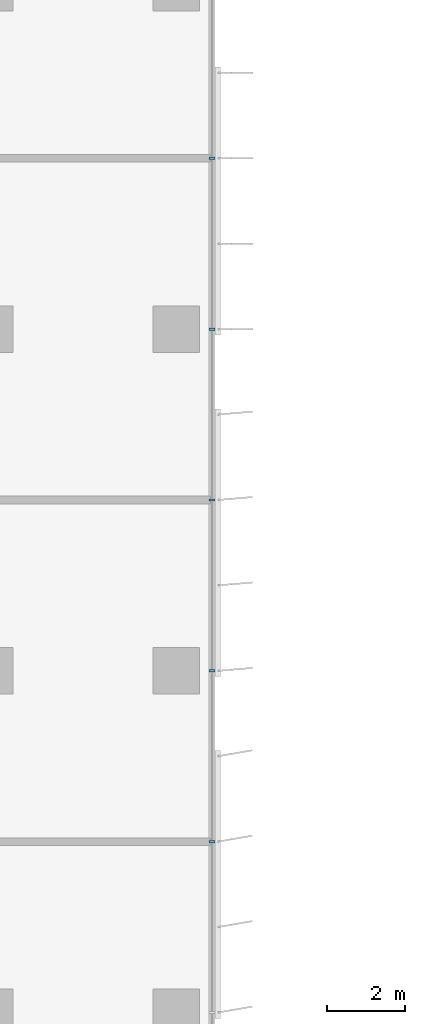
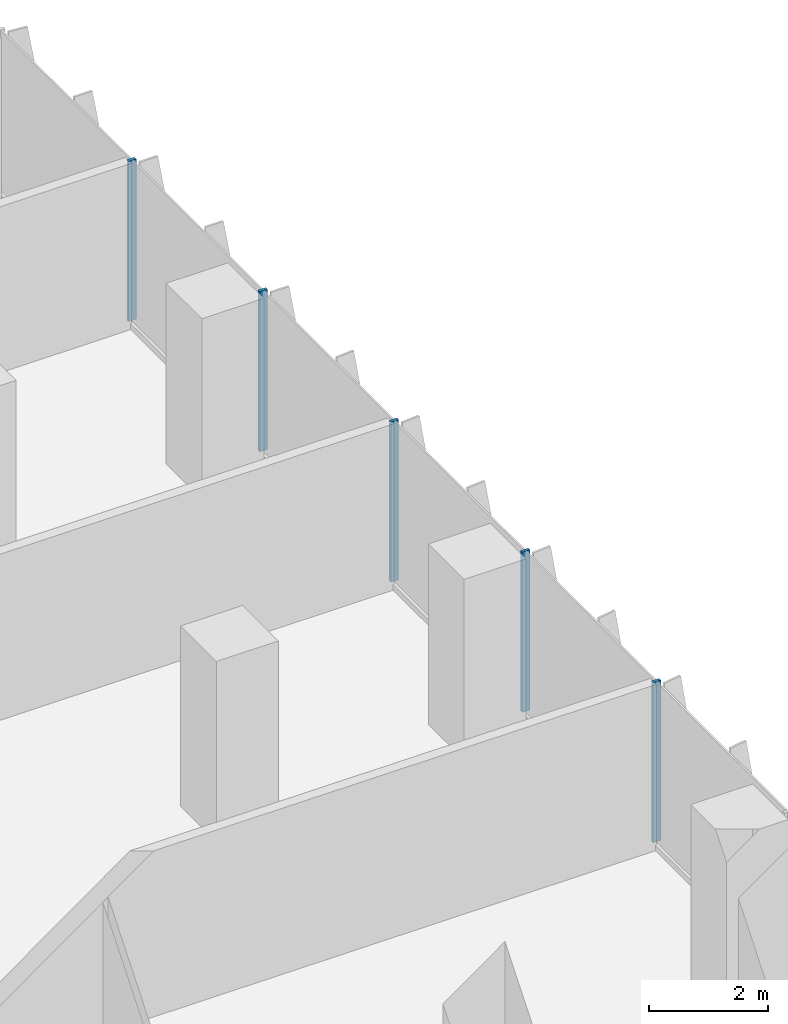
# One storey, part 5 of 22: 5 members, 1 element without a shape of its own.
"""IFC4 building model written with IfcOpenShell, lengths in metres."""

from ifc_helpers import new_model, si_unit, direction, frame, origin, origin_2d, place, context, subcontext, project, spatial, rectangle, extrude, source, transform, mapped, material, material_profile, profile_set, type_object, element, aggregate, save


model = new_model("IFC4")

# Units and contexts
model_context = context("Model", 3, precision=1e-05, world=origin(), true_north=direction((0.0, 1.0)))
body_context = subcontext(model_context, "Body", "Model", "MODEL_VIEW")
ifc_project = project(units=[si_unit("LENGTHUNIT", "METRE"), si_unit("AREAUNIT", "SQUARE_METRE"), si_unit("VOLUMEUNIT", "CUBIC_METRE"), si_unit("PLANEANGLEUNIT", "RADIAN"), si_unit("MASSUNIT", "GRAM", prefix="KILO")], contexts=[model_context])

# Site, building, storey
site_placement = place(None, origin())
site = spatial("IfcSite", under=ifc_project, at=site_placement, CompositionType="ELEMENT")
building_placement = place(site_placement, origin())
building = spatial("IfcBuilding", under=site, at=building_placement, Name="Kemantara Hotel Tower", CompositionType="ELEMENT")
storey_placement = place(building_placement, frame((0.0, 0.0, 87.10009765625)))
storey = spatial("IfcBuildingStorey", under=building, at=storey_placement, Name="L20", CompositionType="ELEMENT", Elevation=87.10009765625)

# Curtain wall, members
ifc_material_1 = material(Name="Low-E tinted double insulated glass 36 mm", Category="glass")
curtain_wall_type = type_object("IfcCurtainWallType", Name="TOWER CURTAIN WALL, FRONT FACES", PredefinedType="USERDEFINED", material=ifc_material_1)
curtain_wall_placement = place(storey_placement, origin())
curtain_wall = element("IfcCurtainWall", 1, at=curtain_wall_placement, inside=storey, type_object=curtain_wall_type, Name="CW4 L20 T2-R14-1", ObjectType="TOWER CURTAIN WALL, FRONT FACES", PredefinedType="USERDEFINED")
ifc_material_2 = material(Name="Aluminium 6063-T6 bronze anodised", Category="aluminium")
ifc_material_profile = material_profile(ifc_material_2, rectangle(XDim=0.14990234375, YDim=0.06005859375, at=origin_2d()), Name="TOWER CURTAIN WALL, FRONT FACES MULLION")
ifc_profile_set = profile_set([ifc_material_profile], Name="Aluminium 6063-T6 bronze anodised")
member_type = type_object("IfcMemberType", Name="TOWER CURTAIN WALL, FRONT FACES MULLION", PredefinedType="MULLION", material=ifc_profile_set)
shared_shape = source(origin(), body_context, "Body", "SweptSolid", [
    extrude(rectangle(XDim=0.14990234375, YDim=0.06005859375, at=origin_2d()), origin(), (0.0, 0.0, 1.0), 3.280029296875),
])
member_1_placement = place(storey_placement, frame((26.72509765625, 31.800048828125, 0.119873046875), z_axis=(0.0, 0.0, 1.0), x_axis=(-1.0, 0.0, 0.0)))
member_1 = element("IfcMember", 2, at=member_1_placement, type_object=member_type, Name="CW4 mullion T2-R14-1.4", PredefinedType="MULLION", context=body_context, shape_type="MappedRepresentation", body=[
    mapped(shared_shape, transform((0.0, 0.0, 0.0))),
])
member_2_placement = place(storey_placement, frame((26.72509765625, 36.199951171875, 0.119873046875), z_axis=(0.0, 0.0, 1.0), x_axis=(-1.0, 0.0, 0.0)))
member_2 = element("IfcMember", 3, at=member_2_placement, type_object=member_type, Name="CW4 mullion T2-R14-1.5", PredefinedType="MULLION", context=body_context, shape_type="MappedRepresentation", body=[
    mapped(shared_shape, transform((0.0, 0.0, 0.0))),
])
member_3_placement = place(storey_placement, frame((26.72509765625, 40.60009765625, 0.119873046875), z_axis=(0.0, 0.0, 1.0), x_axis=(-1.0, 0.0, 0.0)))
member_3 = element("IfcMember", 4, at=member_3_placement, type_object=member_type, Name="CW4 mullion T2-R14-1.6", PredefinedType="MULLION", context=body_context, shape_type="MappedRepresentation", body=[
    mapped(shared_shape, transform((0.0, 0.0, 0.0))),
])
member_4_placement = place(storey_placement, frame((26.72509765625, 45.0, 0.119873046875), z_axis=(0.0, 0.0, 1.0), x_axis=(-1.0, 0.0, 0.0)))
member_4 = element("IfcMember", 5, at=member_4_placement, type_object=member_type, Name="CW4 mullion T2-R14-1.7", PredefinedType="MULLION", context=body_context, shape_type="MappedRepresentation", body=[
    mapped(shared_shape, transform((0.0, 0.0, 0.0))),
])
member_5_placement = place(storey_placement, frame((26.72509765625, 49.39990234375, 0.119873046875), z_axis=(0.0, 0.0, 1.0), x_axis=(-1.0, 0.0, 0.0)))
member_5 = element("IfcMember", 6, at=member_5_placement, type_object=member_type, Name="CW4 mullion T2-R14-1.8", PredefinedType="MULLION", context=body_context, shape_type="MappedRepresentation", body=[
    mapped(shared_shape, transform((0.0, 0.0, 0.0))),
])
aggregate(curtain_wall, [member_1, member_2, member_3, member_4, member_5])

save(model, "model.ifc")
